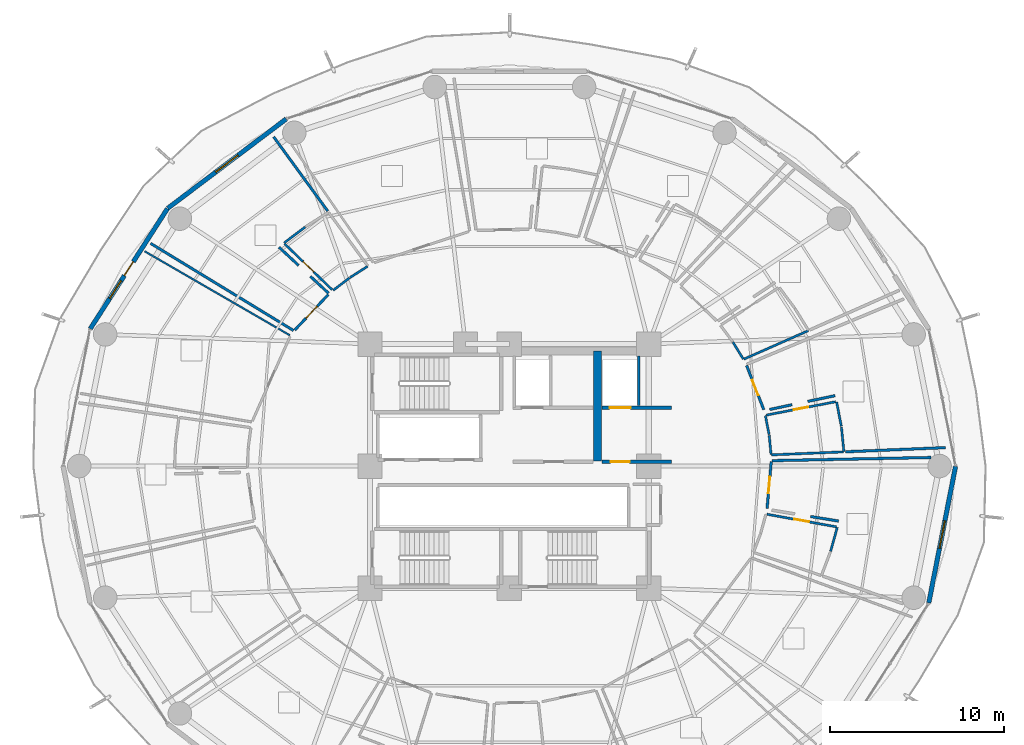
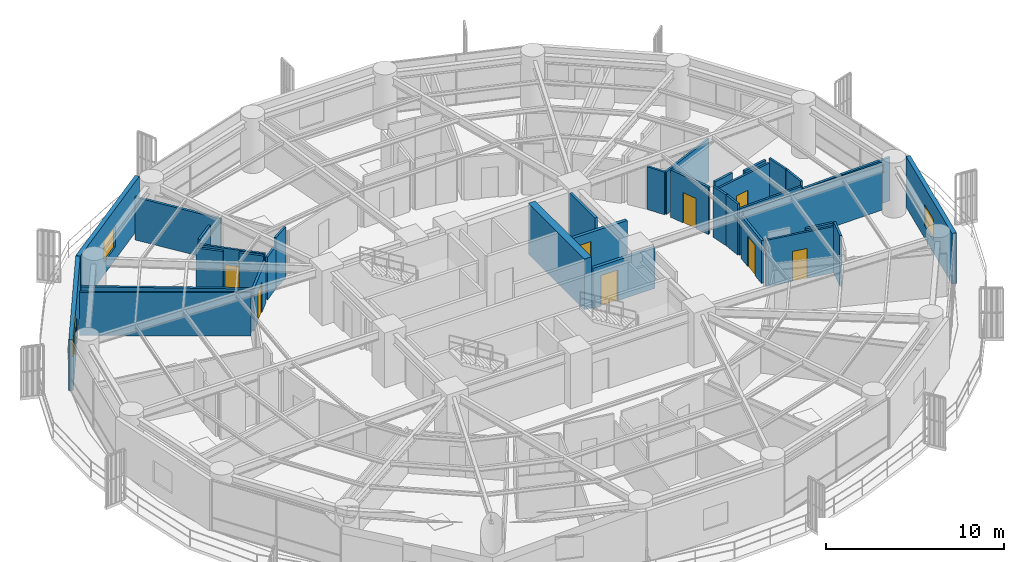
# One storey, part 29 of 35: 34 walls, 9 doors, 3 windows, 12 openings.
"""IFC4 building model written with IfcOpenShell, lengths in metres."""

from ifc_helpers import new_model, si_unit, direction, frame, frame_2d, origin, place, context, subcontext, project, spatial, rectangle, extrude, material, layer, layer_set, type_object, element, fill, save


model = new_model("IFC4")

# Units and contexts
model_context = context("Model", 3, precision=1e-05, world=origin(), true_north=direction((0.0, 1.0)))
body_context = subcontext(model_context, "Body", "Model", "MODEL_VIEW")
ifc_project = project(units=[si_unit("LENGTHUNIT", "METRE"), si_unit("AREAUNIT", "SQUARE_METRE"), si_unit("VOLUMEUNIT", "CUBIC_METRE"), si_unit("PLANEANGLEUNIT", "RADIAN"), si_unit("MASSUNIT", "GRAM", prefix="KILO")], contexts=[model_context])

# Site, building, storey
site_placement = place(None, origin())
site = spatial("IfcSite", under=ifc_project, at=site_placement, CompositionType="ELEMENT")
building_placement = place(site_placement, origin())
building = spatial("IfcBuilding", under=site, at=building_placement, Name="Kelanora Arch Commons", CompositionType="ELEMENT")
storey_placement = place(building_placement, frame((0.0, 0.0, 87.60009765625)))
storey = spatial("IfcBuildingStorey", under=building, at=storey_placement, Name="L22", CompositionType="ELEMENT", Elevation=87.60009765625)

# Wall
ifc_material_1 = material(Name="Autoclaved aerated concrete blockwork with fire plaster", Category="masonry")
ifc_layer_1 = layer(ifc_material_1, 0.14990234375)
ifc_layer_set_1 = layer_set([ifc_layer_1], Name="Autoclaved aerated concrete blockwork with fire plaster")
wall_type_1 = type_object("IfcWallType", Name="W-COMP-150", PredefinedType="PARTITIONING", material=ifc_layer_set_1)
wall_1_placement = place(storey_placement, frame((81.419921875, 61.47998046875, 0.0), z_axis=(0.0, 0.0, 1.0), x_axis=(0.0, 1.0, 0.0)))
element("IfcWall", 1, at=wall_1_placement, inside=storey, type_object=wall_type_1, Name="Firefighting Lift 2 East Shaft Wall L22", PredefinedType="PARTITIONING", context=body_context, shape_type="SweptSolid", body=[
    extrude(rectangle(XDim=2.840087890625, YDim=0.14990234375, at=frame_2d((1.419921875, 0.0))), origin(), (0.0, 0.0, 1.0), 3.47998046875),
])

# Wall, opening, door
wall_2_placement = place(storey_placement, frame((63.61376953125, 67.844482421875, 0.0), z_axis=(0.0, 0.0, 1.0), x_axis=(-0.68683784084, -0.726810690889, 0.0)))
wall_2 = element("IfcWall", 2, at=wall_2_placement, inside=storey, type_object=wall_type_1, Name="Co-Living Studio L22-05 Entry Partition", PredefinedType="PARTITIONING", context=body_context, shape_type="SweptSolid", body=[
    extrude(rectangle(XDim=2.8095703125, YDim=0.14990234375, at=frame_2d((1.40478515625, 0.0))), origin(), (0.0, 0.0, 1.0), 2.9248046875),
])
opening_1_placement = place(wall_2_placement, frame((0.929931640625, 0.0, 0.0)))
opening_1 = element("IfcOpeningElement", 3, at=opening_1_placement, cuts=wall_2, Name="Opening D-CLU1", PredefinedType="OPENING", context=body_context, shape_type="SweptSolid", body=[
    extrude(rectangle(XDim=0.949951171875, YDim=2.080078125, at=frame_2d((0.47509765625, 1.0400390625))), frame((0.0, 0.0849609375, 0.0), z_axis=(0.0, -1.0, 0.0), x_axis=(1.0, 0.0, 0.0)), (0.0, 0.0, 1.0), 0.169921875),
])
ifc_material_2 = material(Name="Solid-core acoustic timber cluster entry fire door", Category="wood")
door_type_1 = type_object("IfcDoorType", Name="D-CLU-95", OperationType="NOTDEFINED", PredefinedType="DOOR", material=ifc_material_2)
door_1_placement = place(opening_1_placement, origin())
door_1 = element("IfcDoor", 4, at=door_1_placement, inside=storey, type_object=door_type_1, Name="Co-Living Studio L22-05 Door", OperationType="SINGLE_SWING_LEFT", OverallHeight=2.080078125, OverallWidth=0.949951171875, PredefinedType="DOOR", context=body_context, shape_type="SweptSolid", body=[
    extrude(rectangle(XDim=0.949951171875, YDim=2.080078125, at=frame_2d((0.47509765625, 1.0400390625))), frame((0.0, 0.02490234375, 0.0), z_axis=(0.0, -1.0, 0.0), x_axis=(1.0, 0.0, 0.0)), (0.0, 0.0, 1.0), 0.050048828125),
])
fill(opening_1, door_1)

wall_3_placement = place(storey_placement, frame((88.783203125, 55.57470703125, 0.0), z_axis=(0.0, 0.0, 1.0), x_axis=(0.088469625327, 0.996078875087, 0.0)))
wall_3 = element("IfcWall", 5, at=wall_3_placement, inside=storey, type_object=wall_type_1, Name="Co-Living Studio L22-14 Entry Partition", PredefinedType="PARTITIONING", context=body_context, shape_type="SweptSolid", body=[
    extrude(rectangle(XDim=2.68505859375, YDim=0.14990234375, at=frame_2d((1.342529296875, 0.0))), origin(), (0.0, 0.0, 1.0), 2.9248046875),
])
opening_2_placement = place(wall_3_placement, frame((0.866943359375, 0.0, 0.0)))
opening_2 = element("IfcOpeningElement", 6, at=opening_2_placement, cuts=wall_3, Name="Opening D-CLU1", PredefinedType="OPENING", context=body_context, shape_type="SweptSolid", body=[
    extrude(rectangle(XDim=0.949951171875, YDim=2.080078125, at=frame_2d((0.47509765625, 1.0400390625))), frame((0.0, 0.0849609375, 0.0), z_axis=(0.0, -1.0, 0.0), x_axis=(1.0, 0.0, 0.0)), (0.0, 0.0, 1.0), 0.169921875),
])
door_2_placement = place(opening_2_placement, origin())
door_2 = element("IfcDoor", 7, at=door_2_placement, inside=storey, type_object=door_type_1, Name="Co-Living Studio L22-14 Door", OperationType="SINGLE_SWING_RIGHT", OverallHeight=2.080078125, OverallWidth=0.949951171875, PredefinedType="DOOR", context=body_context, shape_type="SweptSolid", body=[
    extrude(rectangle(XDim=0.949951171875, YDim=2.080078125, at=frame_2d((0.47509765625, 1.0400390625))), frame((0.0, 0.02490234375, 0.0), z_axis=(0.0, -1.0, 0.0), x_axis=(1.0, 0.0, 0.0)), (0.0, 0.0, 1.0), 0.050048828125),
])
fill(opening_2, door_2)

wall_4_placement = place(storey_placement, frame((88.59326171875, 61.23583984375, 0.0), z_axis=(0.0, 0.0, 1.0), x_axis=(-0.361969309841, 0.93219001214, 0.0)))
wall_4 = element("IfcWall", 8, at=wall_4_placement, inside=storey, type_object=wall_type_1, Name="Co-Living Studio L22-15 Entry Partition", PredefinedType="PARTITIONING", context=body_context, shape_type="SweptSolid", body=[
    extrude(rectangle(XDim=2.717529296875, YDim=0.14990234375, at=frame_2d((1.35888671875, 0.0))), origin(), (0.0, 0.0, 1.0), 3.23486328125),
])
opening_3_placement = place(wall_4_placement, frame((0.884033203125, 0.0, 0.0)))
opening_3 = element("IfcOpeningElement", 9, at=opening_3_placement, cuts=wall_4, Name="Opening D-CLU1", PredefinedType="OPENING", context=body_context, shape_type="SweptSolid", body=[
    extrude(rectangle(XDim=0.949951171875, YDim=2.080078125, at=frame_2d((0.47509765625, 1.0400390625))), frame((0.0, 0.0849609375, 0.0), z_axis=(0.0, -1.0, 0.0), x_axis=(1.0, 0.0, 0.0)), (0.0, 0.0, 1.0), 0.169921875),
])
door_3_placement = place(opening_3_placement, origin())
door_3 = element("IfcDoor", 10, at=door_3_placement, inside=storey, type_object=door_type_1, Name="Co-Living Studio L22-15 Door", OperationType="SINGLE_SWING_RIGHT", OverallHeight=2.080078125, OverallWidth=0.949951171875, PredefinedType="DOOR", context=body_context, shape_type="SweptSolid", body=[
    extrude(rectangle(XDim=0.949951171875, YDim=2.080078125, at=frame_2d((0.47509765625, 1.0400390625))), frame((0.0, 0.02490234375, 0.0), z_axis=(0.0, -1.0, 0.0), x_axis=(1.0, 0.0, 0.0)), (0.0, 0.0, 1.0), 0.050048828125),
])
fill(opening_3, door_3)

# Walls
wall_5_placement = place(storey_placement, frame((61.60888671875, 65.77978515625, 0.0), z_axis=(0.0, 0.0, 1.0), x_axis=(-0.853785143599, 0.520625516634, 0.0)))
element("IfcWall", 11, at=wall_5_placement, inside=storey, type_object=wall_type_1, Name="Co-Living Studio L22-05 Enclosure Partition 2", PredefinedType="PARTITIONING", context=body_context, shape_type="SweptSolid", body=[
    extrude(rectangle(XDim=9.5966796875, YDim=0.14990234375, at=frame_2d((4.79833984375, 0.0))), origin(), (0.0, 0.0, 1.0), 2.974853515625),
])
wall_6_placement = place(storey_placement, frame((60.474609375, 76.884765625, 0.0), z_axis=(0.0, 0.0, 1.0), x_axis=(0.589128007392, -0.808039721119, 0.0)))
element("IfcWall", 12, at=wall_6_placement, inside=storey, type_object=wall_type_1, Name="Co-Living Studio L22-05 Enclosure Partition 5", PredefinedType="PARTITIONING", context=body_context, shape_type="SweptSolid", body=[
    extrude(rectangle(XDim=5.26513671875, YDim=0.14990234375, at=frame_2d((2.632568359375, 0.0))), origin(), (0.0, 0.0, 1.0), 2.9248046875),
])
wall_7_placement = place(storey_placement, frame((60.779296875, 70.556884765625, 0.0), z_axis=(0.0, 0.0, 1.0), x_axis=(0.732929378099, -0.680304730778, 0.0)))
element("IfcWall", 13, at=wall_7_placement, inside=storey, type_object=wall_type_1, Name="Co-Living Studio L22-05 Enclosure Partition 7", PredefinedType="PARTITIONING", context=body_context, shape_type="SweptSolid", body=[
    extrude(rectangle(XDim=1.53564453125, YDim=0.14990234375, at=frame_2d((0.767822265625, 0.0))), origin(), (0.0, 0.0, 1.0), 3.1748046875),
])
wall_8_placement = place(storey_placement, frame((62.579345703125, 68.88623046875, 0.0), z_axis=(0.0, 0.0, 1.0), x_axis=(0.733037104662, -0.680188652646, 0.0)))
element("IfcWall", 14, at=wall_8_placement, inside=storey, type_object=wall_type_1, Name="Co-Living Studio L22-05 Enclosure Partition 7", PredefinedType="PARTITIONING", context=body_context, shape_type="SweptSolid", body=[
    extrude(rectangle(XDim=1.427490234375, YDim=0.14990234375, at=frame_2d((0.7138671875, 0.0))), origin(), (0.0, 0.0, 1.0), 3.23486328125),
])
wall_9_placement = place(storey_placement, frame((89.06591796875, 58.309814453125, 0.0), z_axis=(0.0, 0.0, 1.0), x_axis=(0.999799952906, 0.020001354173, 0.0)))
element("IfcWall", 15, at=wall_9_placement, inside=storey, type_object=wall_type_1, Name="Co-Living Studio L22-14 Enclosure Partition 2", PredefinedType="PARTITIONING", context=body_context, shape_type="SweptSolid", body=[
    extrude(rectangle(XDim=9.117919921875, YDim=0.14990234375, at=frame_2d((4.55908203125, 0.0))), origin(), (0.0, 0.0, 1.0), 3.1748046875),
])
wall_10_placement = place(storey_placement, frame((92.888427734375, 54.843505859375, 0.0), z_axis=(0.0, 0.0, 1.0), x_axis=(-0.986922201966, 0.161197292988, 0.0)))
element("IfcWall", 16, at=wall_10_placement, inside=storey, type_object=wall_type_1, Name="Co-Living Studio L22-14 Enclosure Partition 7", PredefinedType="PARTITIONING", context=body_context, shape_type="SweptSolid", body=[
    extrude(rectangle(XDim=1.632568359375, YDim=0.14990234375, at=frame_2d((0.81640625, 0.0))), origin(), (0.0, 0.0, 1.0), 3.1748046875),
])
wall_11_placement = place(storey_placement, frame((99.011962890625, 59.057373046875, 0.0), z_axis=(0.0, 0.0, 1.0), x_axis=(-0.999136530054, -0.041547494638, 0.0)))
element("IfcWall", 17, at=wall_11_placement, inside=storey, type_object=wall_type_1, Name="Co-Living Studio L22-15 Enclosure Partition 5", PredefinedType="PARTITIONING", context=body_context, shape_type="SweptSolid", body=[
    extrude(rectangle(XDim=5.746826171875, YDim=0.14990234375, at=frame_2d((2.87353515625, 0.0))), origin(), (0.0, 0.0, 1.0), 2.974853515625),
])
wall_12_placement = place(storey_placement, frame((92.680908203125, 62.039794921875, 0.0), z_axis=(0.0, 0.0, 1.0), x_axis=(-0.978359809994, -0.206910807327, 0.0)))
element("IfcWall", 18, at=wall_12_placement, inside=storey, type_object=wall_type_1, Name="Co-Living Studio L22-15 Enclosure Partition 7", PredefinedType="PARTITIONING", context=body_context, shape_type="SweptSolid", body=[
    extrude(rectangle(XDim=1.598876953125, YDim=0.14990234375, at=frame_2d((0.79931640625, 0.0))), origin(), (0.0, 0.0, 1.0), 3.1748046875),
])
wall_13_placement = place(storey_placement, frame((90.21630859375, 61.5185546875, 0.0), z_axis=(0.0, 0.0, 1.0), x_axis=(-0.978356212177, -0.206927818562, 0.0)))
element("IfcWall", 19, at=wall_13_placement, inside=storey, type_object=wall_type_1, Name="Co-Living Studio L22-15 Enclosure Partition 7", PredefinedType="PARTITIONING", context=body_context, shape_type="SweptSolid", body=[
    extrude(rectangle(XDim=1.314453125, YDim=0.14990234375, at=frame_2d((0.6572265625, 0.0))), origin(), (0.0, 0.0, 1.0), 3.47998046875),
])
ifc_material_3 = material(Name="Concrete C60/75", Category="concrete")
ifc_layer_2 = layer(ifc_material_3, 0.449951171875)
ifc_layer_set_2 = layer_set([ifc_layer_2], Name="Concrete C60/75")
wall_type_2 = type_object("IfcWallType", Name="W-CORE-450", PredefinedType="SHEAR", material=ifc_layer_set_2)
wall_14_placement = place(storey_placement, frame((79.050048828125, 58.300048828125, 0.0), z_axis=(0.0, 0.0, 1.0), x_axis=(0.0, 1.0, 0.0)))
element("IfcWall", 20, at=wall_14_placement, inside=storey, type_object=wall_type_2, Name="Core Shear Spine L22-CE-N", PredefinedType="SHEAR", context=body_context, shape_type="SweptSolid", body=[
    extrude(rectangle(XDim=6.300048828125, YDim=0.449951171875, at=frame_2d((3.14990234375, 0.0))), origin(), (0.0, 0.0, 1.0), 3.489990234375),
])

# Wall, opening, window
ifc_material_4 = material(Name="Precast concrete C40/50 with terracotta rainscreen", Category="masonry")
ifc_layer_3 = layer(ifc_material_4, 0.260009765625)
ifc_layer_set_3 = layer_set([ifc_layer_3], Name="Precast concrete C40/50 with terracotta rainscreen")
wall_type_3 = type_object("IfcWallType", Name="W-EXT-TC", PredefinedType="SOLIDWALL", material=ifc_layer_set_3)
wall_15_placement = place(storey_placement, frame((61.18798828125, 77.90966796875, 0.0), z_axis=(0.0, 0.0, 1.0), x_axis=(-0.798501507879, -0.601992808857, 0.0)))
wall_15 = element("IfcWall", 21, at=wall_15_placement, inside=storey, type_object=wall_type_3, Name="Terracotta Exterior Wall L22-B06", PredefinedType="SOLIDWALL", context=body_context, shape_type="SweptSolid", body=[
    extrude(rectangle(XDim=8.499267578125, YDim=0.260009765625, at=frame_2d((4.24951171875, 0.0))), origin(), (0.0, 0.0, 1.0), 3.474853515625),
])
opening_4_placement = place(wall_15_placement, frame((3.449951171875, 0.0, 0.85009765625)))
opening_4 = element("IfcOpeningElement", 22, at=opening_4_placement, cuts=wall_15, Name="Opening WN-01", PredefinedType="OPENING", context=body_context, shape_type="SweptSolid", body=[
    extrude(rectangle(XDim=1.60009765625, YDim=1.449951171875, at=frame_2d((0.800048828125, 0.72509765625))), frame((0.0, 0.14013671875, 0.0), z_axis=(0.0, -1.0, 0.0), x_axis=(1.0, 0.0, 0.0)), (0.0, 0.0, 1.0), 0.280029296875),
])
ifc_material_5 = material(Name="Terracotta-anodised aluminium frame with operable low-E glazing", Category="masonry")
window_type_1 = type_object("IfcWindowType", Name="WIN-CL-18", PartitioningType="DOUBLE_PANEL_VERTICAL", PredefinedType="WINDOW", material=ifc_material_5)
window_1_placement = place(opening_4_placement, origin())
window_1 = element("IfcWindow", 23, at=window_1_placement, inside=storey, type_object=window_type_1, Name="Co-Living Operable Window L22-B06", OverallHeight=1.449951171875, OverallWidth=1.60009765625, PartitioningType="SINGLE_PANEL", PredefinedType="WINDOW", context=body_context, shape_type="SweptSolid", body=[
    extrude(rectangle(XDim=1.60009765625, YDim=1.449951171875, at=frame_2d((0.800048828125, 0.72509765625))), frame((0.0, 0.030029296875, 0.0), z_axis=(0.0, -1.0, 0.0), x_axis=(1.0, 0.0, 0.0)), (0.0, 0.0, 1.0), 0.06005859375),
])
fill(opening_4, window_1)

# Wall, openings, door, window
wall_16_placement = place(storey_placement, frame((54.381103515625, 72.771484375, 0.0), z_axis=(0.0, 0.0, 1.0), x_axis=(-0.540620528459, -0.841266571432, 0.0)))
wall_16 = element("IfcWall", 24, at=wall_16_placement, inside=storey, type_object=wall_type_3, Name="Terracotta Exterior Wall L22-B07", PredefinedType="SOLIDWALL", context=body_context, shape_type="SweptSolid", body=[
    extrude(rectangle(XDim=8.19287109375, YDim=0.260009765625, at=frame_2d((4.096435546875, 0.0))), origin(), (0.0, 0.0, 1.0), 3.474853515625),
])
opening_5_placement = place(wall_16_placement, frame((3.62109375, 0.0, 0.0)))
opening_5 = element("IfcOpeningElement", 25, at=opening_5_placement, cuts=wall_16, Name="Opening DB-01", PredefinedType="OPENING", context=body_context, shape_type="SweptSolid", body=[
    extrude(rectangle(XDim=0.949951171875, YDim=2.10009765625, at=frame_2d((0.47509765625, 1.050048828125))), frame((0.0, 0.14013671875, 0.0), z_axis=(0.0, -1.0, 0.0), x_axis=(1.0, 0.0, 0.0)), (0.0, 0.0, 1.0), 0.280029296875),
])
opening_6_placement = place(wall_16_placement, frame((4.9208984375, 0.0, 0.85009765625)))
opening_6 = element("IfcOpeningElement", 26, at=opening_6_placement, cuts=wall_16, Name="Opening WN-02", PredefinedType="OPENING", context=body_context, shape_type="SweptSolid", body=[
    extrude(rectangle(XDim=1.199951171875, YDim=1.449951171875, at=frame_2d((0.60009765625, 0.72509765625))), frame((0.0, 0.14013671875, 0.0), z_axis=(0.0, -1.0, 0.0), x_axis=(1.0, 0.0, 0.0)), (0.0, 0.0, 1.0), 0.280029296875),
])
ifc_material_6 = material(Name="Terracotta-aluminium thermally broken glazed balcony door", Category="masonry")
door_type_2 = type_object("IfcDoorType", Name="D-BAL-10", OperationType="NOTDEFINED", PredefinedType="DOOR", material=ifc_material_6)
door_4_placement = place(opening_5_placement, frame((0.949951171875, 0.0, 0.0), z_axis=(0.0, 0.0, 1.0), x_axis=(-1.0, 0.0, 0.0)))
door_4 = element("IfcDoor", 27, at=door_4_placement, inside=storey, type_object=door_type_2, Name="Wave Balcony Door L22-B07", OperationType="SINGLE_SWING_RIGHT", OverallHeight=2.10009765625, OverallWidth=0.949951171875, PredefinedType="DOOR", context=body_context, shape_type="SweptSolid", body=[
    extrude(rectangle(XDim=0.949951171875, YDim=2.10009765625, at=frame_2d((0.47509765625, 1.050048828125))), frame((0.0, 0.02490234375, 0.0), z_axis=(0.0, -1.0, 0.0), x_axis=(1.0, 0.0, 0.0)), (0.0, 0.0, 1.0), 0.050048828125),
])
fill(opening_5, door_4)
ifc_material_7 = material(Name="Terracotta-anodised aluminium frame with operable awning sash", Category="masonry")
window_type_2 = type_object("IfcWindowType", Name="WIN-CL-12", PartitioningType="SINGLE_PANEL", PredefinedType="WINDOW", material=ifc_material_7)
window_2_placement = place(opening_6_placement, origin())
window_2 = element("IfcWindow", 28, at=window_2_placement, inside=storey, type_object=window_type_2, Name="Co-Living Operable Window L22-B07", OverallHeight=1.449951171875, OverallWidth=1.199951171875, PartitioningType="SINGLE_PANEL", PredefinedType="WINDOW", context=body_context, shape_type="SweptSolid", body=[
    extrude(rectangle(XDim=1.199951171875, YDim=1.449951171875, at=frame_2d((0.60009765625, 0.72509765625))), frame((0.0, 0.030029296875, 0.0), z_axis=(0.0, -1.0, 0.0), x_axis=(1.0, 0.0, 0.0)), (0.0, 0.0, 1.0), 0.06005859375),
])
fill(opening_6, window_2)

# Wall, opening, window
wall_17_placement = place(storey_placement, frame((98.05908203125, 50.148193359375, 0.0), z_axis=(0.0, 0.0, 1.0), x_axis=(0.192581843632, 0.981280914674, 0.0)))
wall_17 = element("IfcWall", 29, at=wall_17_placement, inside=storey, type_object=wall_type_3, Name="Terracotta Exterior Wall L22-B17", PredefinedType="SOLIDWALL", context=body_context, shape_type="SweptSolid", body=[
    extrude(rectangle(XDim=7.986572265625, YDim=0.260009765625, at=frame_2d((3.9931640625, 0.0))), origin(), (0.0, 0.0, 1.0), 3.474853515625),
])
opening_7_placement = place(wall_17_placement, frame((3.193115234375, 0.0, 0.85009765625)))
opening_7 = element("IfcOpeningElement", 30, at=opening_7_placement, cuts=wall_17, Name="Opening WN-01", PredefinedType="OPENING", context=body_context, shape_type="SweptSolid", body=[
    extrude(rectangle(XDim=1.60009765625, YDim=1.449951171875, at=frame_2d((0.800048828125, 0.72509765625))), frame((0.0, 0.14013671875, 0.0), z_axis=(0.0, -1.0, 0.0), x_axis=(1.0, 0.0, 0.0)), (0.0, 0.0, 1.0), 0.280029296875),
])
window_3_placement = place(opening_7_placement, origin())
window_3 = element("IfcWindow", 31, at=window_3_placement, inside=storey, type_object=window_type_1, Name="Co-Living Operable Window L22-B17", OverallHeight=1.449951171875, OverallWidth=1.60009765625, PartitioningType="SINGLE_PANEL", PredefinedType="WINDOW", context=body_context, shape_type="SweptSolid", body=[
    extrude(rectangle(XDim=1.60009765625, YDim=1.449951171875, at=frame_2d((0.800048828125, 0.72509765625))), frame((0.0, 0.030029296875, 0.0), z_axis=(0.0, -1.0, 0.0), x_axis=(1.0, 0.0, 0.0)), (0.0, 0.0, 1.0), 0.06005859375),
])
fill(opening_7, window_3)

# Wall, opening, door
ifc_material_8 = material(Name="Concrete C40/50", Category="concrete")
ifc_layer_4 = layer(ifc_material_8, 0.199951171875)
ifc_layer_set_4 = layer_set([ifc_layer_4], Name="Concrete C40/50")
wall_type_4 = type_object("IfcWallType", Name="W-FFL-200", PredefinedType="SOLIDWALL", material=ifc_layer_set_4)
wall_18_placement = place(storey_placement, frame((79.300048828125, 61.35009765625, 0.0), z_axis=(0.0, 0.0, 1.0), x_axis=(1.0, 0.0, 0.0)))
wall_18 = element("IfcWall", 32, at=wall_18_placement, inside=storey, type_object=wall_type_4, Name="Firefighting Lift 2 Shaft Front L22", PredefinedType="SOLIDWALL", context=body_context, shape_type="SweptSolid", body=[
    extrude(rectangle(XDim=4.0, YDim=0.199951171875, at=frame_2d((2.0, 0.0))), origin(), (0.0, 0.0, 1.0), 2.77490234375),
])
opening_8_placement = place(wall_18_placement, frame((0.449951171875, 0.0, 0.0)))
opening_8 = element("IfcOpeningElement", 33, at=opening_8_placement, cuts=wall_18, Name="Opening LD-FF", PredefinedType="OPENING", context=body_context, shape_type="SweptSolid", body=[
    extrude(rectangle(XDim=1.199951171875, YDim=2.14990234375, at=frame_2d((0.60009765625, 1.074951171875))), frame((0.0, 0.10986328125, 0.0), z_axis=(0.0, -1.0, 0.0), x_axis=(1.0, 0.0, 0.0)), (0.0, 0.0, 1.0), 0.219970703125),
])
ifc_material_9 = material(Name="Fire-rated firefighters lift sliding landing door")
door_type_3 = type_object("IfcDoorType", Name="D-LIFT-FF", OperationType="NOTDEFINED", PredefinedType="DOOR", material=ifc_material_9)
door_5_placement = place(opening_8_placement, origin())
door_5 = element("IfcDoor", 34, at=door_5_placement, inside=storey, type_object=door_type_3, Name="Firefighting Lift LF-FF2 Landing Door L22", OperationType="DOUBLE_DOOR_SLIDING", OverallHeight=2.14990234375, OverallWidth=1.199951171875, PredefinedType="DOOR", context=body_context, shape_type="SweptSolid", body=[
    extrude(rectangle(XDim=1.199951171875, YDim=2.14990234375, at=frame_2d((0.60009765625, 1.074951171875))), frame((0.0, 0.02490234375, 0.0), z_axis=(0.0, -1.0, 0.0), x_axis=(1.0, 0.0, 0.0)), (0.0, 0.0, 1.0), 0.050048828125),
])
fill(opening_8, door_5)

wall_19_placement = place(storey_placement, frame((79.300048828125, 58.25, 0.0), z_axis=(0.0, 0.0, 1.0), x_axis=(1.0, 0.0, 0.0)))
wall_19 = element("IfcWall", 35, at=wall_19_placement, inside=storey, type_object=wall_type_4, Name="Firefighting Lobby 2 Enclosure Wall L22", PredefinedType="SOLIDWALL", context=body_context, shape_type="SweptSolid", body=[
    extrude(rectangle(XDim=4.0, YDim=0.199951171875, at=frame_2d((2.0, 0.0))), origin(), (0.0, 0.0, 1.0), 2.77490234375),
])
opening_9_placement = place(wall_19_placement, frame((0.5, 0.0, 0.0)))
opening_9 = element("IfcOpeningElement", 36, at=opening_9_placement, cuts=wall_19, Name="Opening D-FFL1", PredefinedType="OPENING", context=body_context, shape_type="SweptSolid", body=[
    extrude(rectangle(XDim=1.10009765625, YDim=2.10009765625, at=frame_2d((0.550048828125, 1.050048828125))), frame((0.0, 0.10986328125, 0.0), z_axis=(0.0, -1.0, 0.0), x_axis=(1.0, 0.0, 0.0)), (0.0, 0.0, 1.0), 0.219970703125),
])
ifc_material_10 = material(Name="Smoke-sealed firefighting lobby fire door")
door_type_4 = type_object("IfcDoorType", Name="D-FFL-110", OperationType="NOTDEFINED", PredefinedType="DOOR", material=ifc_material_10)
door_6_placement = place(opening_9_placement, frame((1.10009765625, 0.0, 0.0), z_axis=(0.0, 0.0, 1.0), x_axis=(-1.0, 0.0, 0.0)))
door_6 = element("IfcDoor", 37, at=door_6_placement, inside=storey, type_object=door_type_4, Name="Firefighting Lobby 2 Door L22", OperationType="SINGLE_SWING_RIGHT", OverallHeight=2.10009765625, OverallWidth=1.10009765625, PredefinedType="DOOR", context=body_context, shape_type="SweptSolid", body=[
    extrude(rectangle(XDim=1.10009765625, YDim=2.10009765625, at=frame_2d((0.550048828125, 1.050048828125))), frame((0.0, 0.02490234375, 0.0), z_axis=(0.0, -1.0, 0.0), x_axis=(1.0, 0.0, 0.0)), (0.0, 0.0, 1.0), 0.050048828125),
])
fill(opening_9, door_6)

# Wall
ifc_material_11 = material(Name="Lightweight fire-rated acoustic stud partition")
ifc_layer_5 = layer(ifc_material_11, 0.10009765625)
ifc_layer_set_5 = layer_set([ifc_layer_5], Name="Lightweight fire-rated acoustic stud partition")
wall_type_5 = type_object("IfcWallType", Name="W-PART-100", PredefinedType="PARTITIONING", material=ifc_layer_set_5)
wall_20_placement = place(storey_placement, frame((53.072509765625, 70.322021484375, 0.0), z_axis=(0.0, 0.0, 1.0), x_axis=(0.865606852524, -0.500724252322, 0.0)))
element("IfcWall", 38, at=wall_20_placement, inside=storey, type_object=wall_type_5, Name="Social Sky Lounge L22-06 Enclosure Partition 4", PredefinedType="PARTITIONING", context=body_context, shape_type="SweptSolid", body=[
    extrude(rectangle(XDim=9.624267578125, YDim=0.10009765625, at=frame_2d((4.81201171875, 0.0))), origin(), (0.0, 0.0, 1.0), 2.974853515625),
])

# Wall, opening, door
ifc_material_12 = material(Name="Moisture-resistant fire-rated cement-board plumbing wall")
ifc_layer_6 = layer(ifc_material_12, 0.1298828125)
ifc_layer_set_6 = layer_set([ifc_layer_6], Name="Moisture-resistant fire-rated cement-board plumbing wall")
wall_type_6 = type_object("IfcWallType", Name="W-WET-120", PredefinedType="PLUMBINGWALL", material=ifc_layer_set_6)
wall_21_placement = place(storey_placement, frame((63.832763671875, 68.11572265625, 0.0), z_axis=(0.0, 0.0, 1.0), x_axis=(-0.719513452588, 0.694478503299, 0.0)))
wall_21 = element("IfcWall", 39, at=wall_21_placement, inside=storey, type_object=wall_type_6, Name="En-Suite Shower WC L22-05 Entry Partition", PredefinedType="PLUMBINGWALL", context=body_context, shape_type="SweptSolid", body=[
    extrude(rectangle(XDim=3.79345703125, YDim=0.1298828125, at=frame_2d((1.896728515625, 0.0))), origin(), (0.0, 0.0, 1.0), 3.1748046875),
])
opening_10_placement = place(wall_21_placement, frame((1.467041015625, 0.0, 0.0)))
opening_10 = element("IfcOpeningElement", 40, at=opening_10_placement, cuts=wall_21, Name="Opening D-BT1", PredefinedType="OPENING", context=body_context, shape_type="SweptSolid", body=[
    extrude(rectangle(XDim=0.860107421875, YDim=2.050048828125, at=frame_2d((0.43017578125, 1.02490234375))), frame((0.0, 0.074951171875, 0.0), z_axis=(0.0, -1.0, 0.0), x_axis=(1.0, 0.0, 0.0)), (0.0, 0.0, 1.0), 0.14990234375),
])
ifc_material_13 = material(Name="Moisture-sealed fire-rated accessible bathroom door")
door_type_5 = type_object("IfcDoorType", Name="D-BATH-85", OperationType="NOTDEFINED", PredefinedType="DOOR", material=ifc_material_13)
door_7_placement = place(opening_10_placement, origin())
door_7 = element("IfcDoor", 41, at=door_7_placement, inside=storey, type_object=door_type_5, Name="En-Suite Shower WC L22-05 Door", OperationType="SINGLE_SWING_RIGHT", OverallHeight=2.050048828125, OverallWidth=0.860107421875, PredefinedType="DOOR", context=body_context, shape_type="SweptSolid", body=[
    extrude(rectangle(XDim=0.860107421875, YDim=2.050048828125, at=frame_2d((0.43017578125, 1.02490234375))), frame((0.0, 0.02490234375, 0.0), z_axis=(0.0, -1.0, 0.0), x_axis=(1.0, 0.0, 0.0)), (0.0, 0.0, 1.0), 0.050048828125),
])
fill(opening_10, door_7)

wall_22_placement = place(storey_placement, frame((88.779052734375, 55.2353515625, 0.0), z_axis=(0.0, 0.0, 1.0), x_axis=(0.983931701878, -0.178545249279, 0.0)))
wall_22 = element("IfcWall", 42, at=wall_22_placement, inside=storey, type_object=wall_type_6, Name="En-Suite Shower WC L22-14 Entry Partition", PredefinedType="PLUMBINGWALL", context=body_context, shape_type="SweptSolid", body=[
    extrude(rectangle(XDim=4.0419921875, YDim=0.1298828125, at=frame_2d((2.02099609375, 0.0))), origin(), (0.0, 0.0, 1.0), 3.1748046875),
])
opening_11_placement = place(wall_22_placement, frame((1.591064453125, 0.0, 0.0)))
opening_11 = element("IfcOpeningElement", 43, at=opening_11_placement, cuts=wall_22, Name="Opening D-BT1", PredefinedType="OPENING", context=body_context, shape_type="SweptSolid", body=[
    extrude(rectangle(XDim=0.860107421875, YDim=2.050048828125, at=frame_2d((0.43017578125, 1.02490234375))), frame((0.0, 0.074951171875, 0.0), z_axis=(0.0, -1.0, 0.0), x_axis=(1.0, 0.0, 0.0)), (0.0, 0.0, 1.0), 0.14990234375),
])
door_8_placement = place(opening_11_placement, origin())
door_8 = element("IfcDoor", 44, at=door_8_placement, inside=storey, type_object=door_type_5, Name="En-Suite Shower WC L22-14 Door", OperationType="SINGLE_SWING_LEFT", OverallHeight=2.050048828125, OverallWidth=0.860107421875, PredefinedType="DOOR", context=body_context, shape_type="SweptSolid", body=[
    extrude(rectangle(XDim=0.860107421875, YDim=2.050048828125, at=frame_2d((0.43017578125, 1.02490234375))), frame((0.0, 0.02490234375, 0.0), z_axis=(0.0, -1.0, 0.0), x_axis=(1.0, 0.0, 0.0)), (0.0, 0.0, 1.0), 0.050048828125),
])
fill(opening_11, door_8)

wall_23_placement = place(storey_placement, frame((88.741943359375, 60.92529296875, 0.0), z_axis=(0.0, 0.0, 1.0), x_axis=(0.981973232987, 0.189020024595, 0.0)))
wall_23 = element("IfcWall", 45, at=wall_23_placement, inside=storey, type_object=wall_type_6, Name="En-Suite Shower WC L22-15 Entry Partition", PredefinedType="PLUMBINGWALL", context=body_context, shape_type="SweptSolid", body=[
    extrude(rectangle(XDim=4.038818359375, YDim=0.1298828125, at=frame_2d((2.01953125, 0.0))), origin(), (0.0, 0.0, 1.0), 3.1748046875),
])
opening_12_placement = place(wall_23_placement, frame((1.590087890625, 0.0, 0.0)))
opening_12 = element("IfcOpeningElement", 46, at=opening_12_placement, cuts=wall_23, Name="Opening D-BT1", PredefinedType="OPENING", context=body_context, shape_type="SweptSolid", body=[
    extrude(rectangle(XDim=0.860107421875, YDim=2.050048828125, at=frame_2d((0.43017578125, 1.02490234375))), frame((0.0, 0.074951171875, 0.0), z_axis=(0.0, -1.0, 0.0), x_axis=(1.0, 0.0, 0.0)), (0.0, 0.0, 1.0), 0.14990234375),
])
door_9_placement = place(opening_12_placement, origin())
door_9 = element("IfcDoor", 47, at=door_9_placement, inside=storey, type_object=door_type_5, Name="En-Suite Shower WC L22-15 Door", OperationType="SINGLE_SWING_LEFT", OverallHeight=2.050048828125, OverallWidth=0.860107421875, PredefinedType="DOOR", context=body_context, shape_type="SweptSolid", body=[
    extrude(rectangle(XDim=0.860107421875, YDim=2.050048828125, at=frame_2d((0.43017578125, 1.02490234375))), frame((0.0, 0.02490234375, 0.0), z_axis=(0.0, -1.0, 0.0), x_axis=(1.0, 0.0, 0.0)), (0.0, 0.0, 1.0), 0.050048828125),
])
fill(opening_12, door_9)

# Walls
wall_24_placement = place(storey_placement, frame((87.41650390625, 64.14111328125, 0.0), z_axis=(0.0, 0.0, 1.0), x_axis=(-0.52310141153, 0.852270446077, 0.0)))
element("IfcWall", 48, at=wall_24_placement, inside=storey, type_object=wall_type_6, Name="En-Suite Shower WC L22-01 Enclosure Partition 1", PredefinedType="PLUMBINGWALL", context=body_context, shape_type="SweptSolid", body=[
    extrude(rectangle(XDim=1.135498046875, YDim=0.1298828125, at=frame_2d((0.56787109375, 0.0))), origin(), (0.0, 0.0, 1.0), 2.9248046875),
])
wall_25_placement = place(storey_placement, frame((91.144775390625, 65.767822265625, 0.0), z_axis=(0.0, 0.0, 1.0), x_axis=(-0.914586427441, -0.404390487946, 0.0)))
element("IfcWall", 49, at=wall_25_placement, inside=storey, type_object=wall_type_6, Name="En-Suite Shower WC L22-01 Enclosure Partition 6", PredefinedType="PLUMBINGWALL", context=body_context, shape_type="SweptSolid", body=[
    extrude(rectangle(XDim=4.044921875, YDim=0.1298828125, at=frame_2d((2.0224609375, 0.0))), origin(), (0.0, 0.0, 1.0), 2.9248046875),
])
wall_26_placement = place(storey_placement, frame((65.863037109375, 69.459228515625, 0.0), z_axis=(0.0, 0.0, 1.0), x_axis=(-0.842932135958, -0.538019901276, 0.0)))
element("IfcWall", 50, at=wall_26_placement, inside=storey, type_object=wall_type_6, Name="En-Suite Shower WC L22-05 Enclosure Partition 1", PredefinedType="PLUMBINGWALL", context=body_context, shape_type="SweptSolid", body=[
    extrude(rectangle(XDim=1.1865234375, YDim=0.1298828125, at=frame_2d((0.59326171875, 0.0))), origin(), (0.0, 0.0, 1.0), 3.47998046875),
])
wall_27_placement = place(storey_placement, frame((64.830078125, 68.7978515625, 0.0), z_axis=(0.0, 0.0, 1.0), x_axis=(-0.796729134499, -0.604336567022, 0.0)))
element("IfcWall", 51, at=wall_27_placement, inside=storey, type_object=wall_type_6, Name="En-Suite Shower WC L22-05 Enclosure Partition 2", PredefinedType="PLUMBINGWALL", context=body_context, shape_type="SweptSolid", body=[
    extrude(rectangle(XDim=1.177490234375, YDim=0.1298828125, at=frame_2d((0.5888671875, 0.0))), origin(), (0.0, 0.0, 1.0), 2.9248046875),
])
wall_28_placement = place(storey_placement, frame((61.075927734375, 70.803955078125, 0.0), z_axis=(0.0, 0.0, 1.0), x_axis=(0.798136421733, 0.602476764949, 0.0)))
element("IfcWall", 52, at=wall_28_placement, inside=storey, type_object=wall_type_6, Name="En-Suite Shower WC L22-05 Enclosure Partition 4", PredefinedType="PLUMBINGWALL", context=body_context, shape_type="SweptSolid", body=[
    extrude(rectangle(XDim=1.51220703125, YDim=0.1298828125, at=frame_2d((0.756103515625, 0.0))), origin(), (0.0, 0.0, 1.0), 3.47998046875),
])
wall_29_placement = place(storey_placement, frame((92.8095703125, 54.483642578125, 0.0), z_axis=(0.0, 0.0, 1.0), x_axis=(-0.268041350083, -0.963407408445, 0.0)))
element("IfcWall", 53, at=wall_29_placement, inside=storey, type_object=wall_type_6, Name="En-Suite Shower WC L22-14 Enclosure Partition 4", PredefinedType="PLUMBINGWALL", context=body_context, shape_type="SweptSolid", body=[
    extrude(rectangle(XDim=1.425537109375, YDim=0.1298828125, at=frame_2d((0.712890625, 0.0))), origin(), (0.0, 0.0, 1.0), 3.47998046875),
])
wall_30_placement = place(storey_placement, frame((89.010986328125, 58.661865234375, 0.0), z_axis=(0.0, 0.0, 1.0), x_axis=(-0.097430149617, 0.995242365429, 0.0)))
element("IfcWall", 54, at=wall_30_placement, inside=storey, type_object=wall_type_6, Name="En-Suite Shower WC L22-15 Enclosure Partition 1", PredefinedType="PLUMBINGWALL", context=body_context, shape_type="SweptSolid", body=[
    extrude(rectangle(XDim=1.107666015625, YDim=0.1298828125, at=frame_2d((0.5537109375, 0.0))), origin(), (0.0, 0.0, 1.0), 3.47998046875),
])
wall_31_placement = place(storey_placement, frame((88.897216796875, 59.8037109375, 0.0), z_axis=(0.0, 0.0, 1.0), x_axis=(-0.18947511119, 0.981885523999, 0.0)))
element("IfcWall", 55, at=wall_31_placement, inside=storey, type_object=wall_type_6, Name="En-Suite Shower WC L22-15 Enclosure Partition 2", PredefinedType="PLUMBINGWALL", context=body_context, shape_type="SweptSolid", body=[
    extrude(rectangle(XDim=1.110595703125, YDim=0.1298828125, at=frame_2d((0.55517578125, 0.0))), origin(), (0.0, 0.0, 1.0), 3.47998046875),
])
wall_32_placement = place(storey_placement, frame((92.770751953125, 61.680419921875, 0.0), z_axis=(0.0, 0.0, 1.0), x_axis=(0.191058204905, -0.981578709192, 0.0)))
element("IfcWall", 56, at=wall_32_placement, inside=storey, type_object=wall_type_6, Name="En-Suite Shower WC L22-15 Enclosure Partition 4", PredefinedType="PLUMBINGWALL", context=body_context, shape_type="SweptSolid", body=[
    extrude(rectangle(XDim=1.4208984375, YDim=0.1298828125, at=frame_2d((0.71044921875, 0.0))), origin(), (0.0, 0.0, 1.0), 3.47998046875),
])
wall_33_placement = place(storey_placement, frame((93.048095703125, 60.24609375, 0.0), z_axis=(0.0, 0.0, 1.0), x_axis=(0.098651373381, -0.995122056097, 0.0)))
element("IfcWall", 57, at=wall_33_placement, inside=storey, type_object=wall_type_6, Name="En-Suite Shower WC L22-15 Enclosure Partition 5", PredefinedType="PLUMBINGWALL", context=body_context, shape_type="SweptSolid", body=[
    extrude(rectangle(XDim=1.41796875, YDim=0.1298828125, at=frame_2d((0.708984375, 0.0))), origin(), (0.0, 0.0, 1.0), 3.47998046875),
])
wall_34_placement = place(storey_placement, frame((93.169921875, 58.814208984375, 0.0), z_axis=(0.0, 0.0, 1.0), x_axis=(-0.999142957242, -0.041392644201, 0.0)))
element("IfcWall", 58, at=wall_34_placement, inside=storey, type_object=wall_type_6, Name="En-Suite Shower WC L22-15 Enclosure Partition 6", PredefinedType="PLUMBINGWALL", context=body_context, shape_type="SweptSolid", body=[
    extrude(rectangle(XDim=4.140625, YDim=0.1298828125, at=frame_2d((2.0703125, 0.0))), origin(), (0.0, 0.0, 1.0), 3.1748046875),
])

save(model, "model.ifc")
